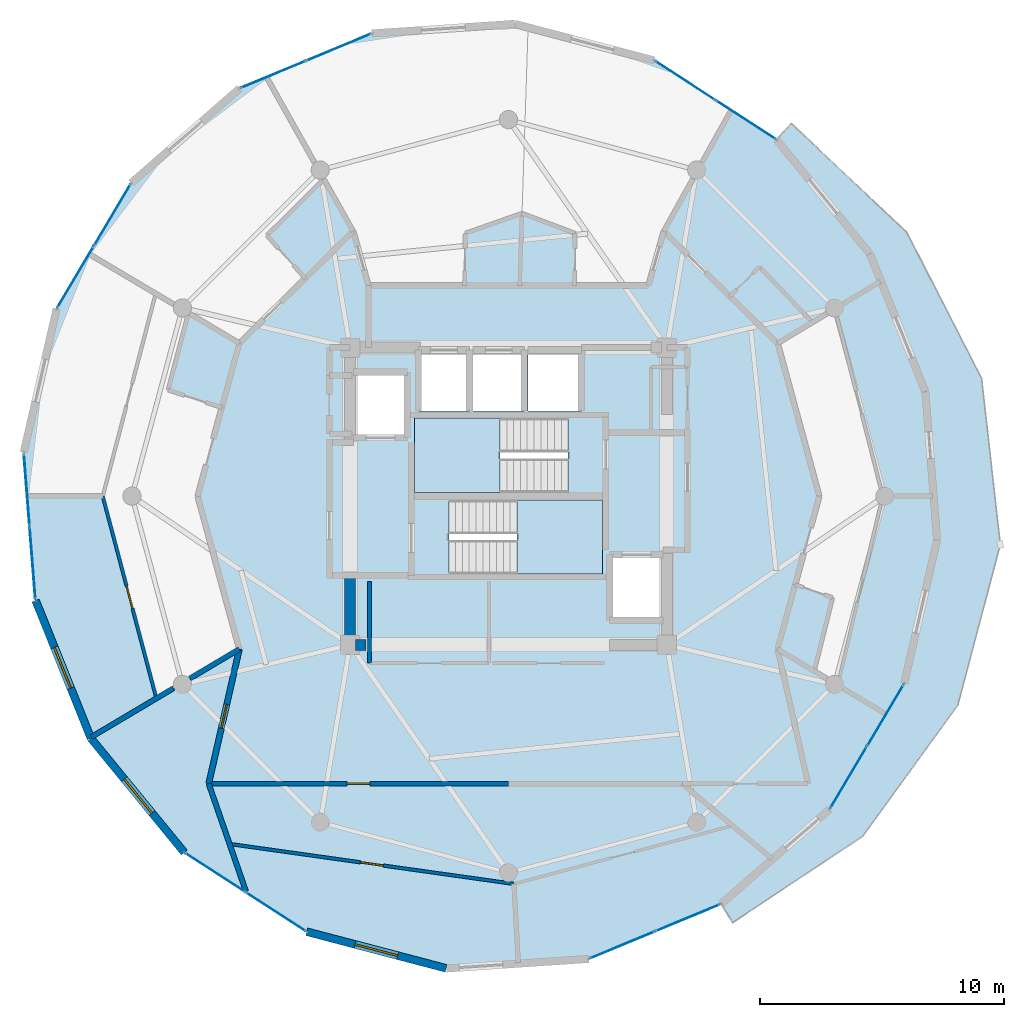
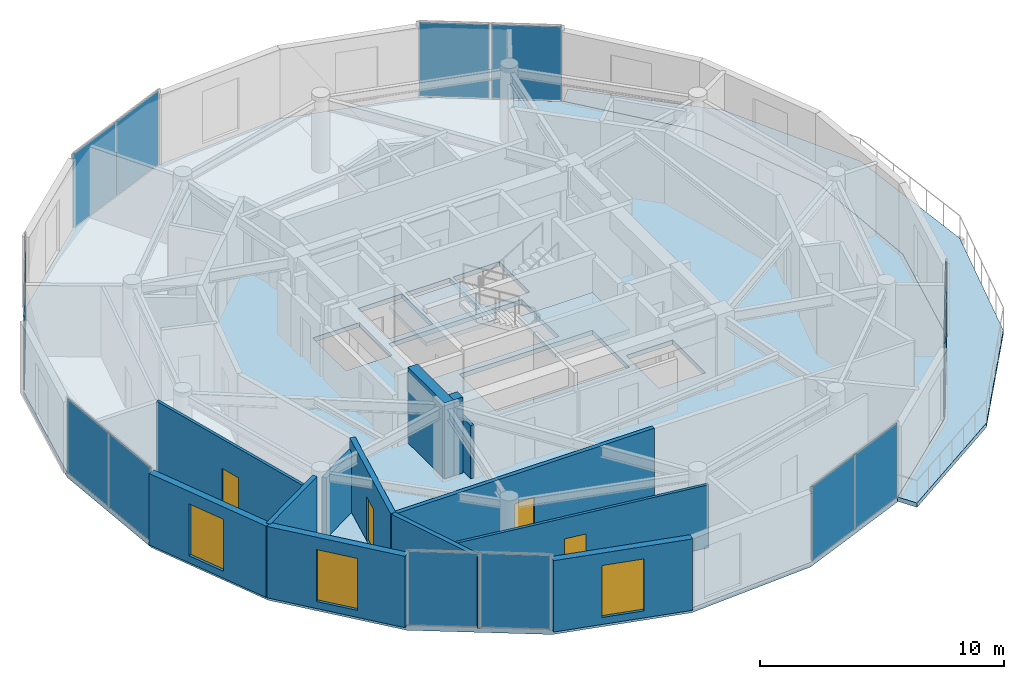
# One storey, part 16 of 22: 14 plates, 13 walls, 4 doors, 4 slabs, 3 windows, 7 openings, 9 elements without a shape of their own.
"""IFC4 building model written with IfcOpenShell, lengths in metres."""

from ifc_helpers import new_model, si_unit, direction, frame, frame_2d, origin, origin_2d, place, context, subcontext, project, spatial, polyline, rectangle, outline, extrude, source, transform, mapped, material, layer, layer_set, type_object, element, fill, aggregate, save


model = new_model("IFC4")

# Units and contexts
model_context = context("Model", 3, precision=1e-05, world=origin(), true_north=direction((0.0, 1.0)))
body_context = subcontext(model_context, "Body", "Model", "MODEL_VIEW")
ifc_project = project(units=[si_unit("LENGTHUNIT", "METRE"), si_unit("AREAUNIT", "SQUARE_METRE"), si_unit("VOLUMEUNIT", "CUBIC_METRE"), si_unit("PLANEANGLEUNIT", "RADIAN"), si_unit("MASSUNIT", "GRAM", prefix="KILO")], contexts=[model_context])

# Site, building, storey
site_placement = place(None, origin())
site = spatial("IfcSite", under=ifc_project, at=site_placement, CompositionType="ELEMENT")
building_placement = place(site_placement, origin())
building = spatial("IfcBuilding", under=site, at=building_placement, Name="Solvirekh Grand Hotel", CompositionType="ELEMENT")
storey_placement = place(building_placement, frame((0.0, 0.0, 239.199951171875)))
storey = spatial("IfcBuildingStorey", under=building, at=storey_placement, Name="L62", CompositionType="ELEMENT", Elevation=239.199951171875)

# Slab
ifc_material_1 = material(Name="Concrete C50/60", Category="concrete")
ifc_layer_1 = layer(ifc_material_1, 0.215087890625)
ifc_layer_set_1 = layer_set([ifc_layer_1], Name="Concrete C50/60")
slab_type_1 = type_object("IfcSlabType", Name="ExtCrescentBalc_215", PredefinedType="FLOOR", material=ifc_layer_set_1)
slab_1_placement = place(storey_placement, frame((0.0, 0.0, -0.21484375)))
element("IfcSlab", 1, at=slab_1_placement, inside=storey, type_object=slab_type_1, Name="L62 sweeping crescent balcony slab", PredefinedType="FLOOR", context=body_context, shape_type="SweptSolid", body=[
    extrude(outline(polyline([(9.200927734375, -17.4970703125), (14.528076171875, -13.9609375), (18.43896484375, -8.573974609375), (20.179931640625, -1.98291015625), (19.4140625, 4.822998046875), (16.342041015625, 10.827880859375), (11.60205078125, 15.29296875), (11.0009765625, 14.623046875), (14.8349609375, 9.93896484375), (17.10498046875, 4.281982421875), (17.5869140625, -1.794921875), (16.236083984375, -7.695068359375), (13.181884765625, -12.842041015625), (8.72607421875, -16.73291015625), (9.200927734375, -17.4970703125)])), origin(), (0.0, 0.0, 1.0), 0.21484375),
])

# Stair, slab
ifc_material_2 = material(Name="Concrete C40/50", Category="concrete")
stair_type = type_object("IfcStairType", Name="Stair_Core_1450", PredefinedType="HALF_TURN_STAIR", material=ifc_material_2)
stair_1_placement = place(storey_placement, origin())
stair_1 = element("IfcStair", 2, at=stair_1_placement, inside=storey, type_object=stair_type, Name="L62 Enclosed exit stair ST-1", PredefinedType="HALF_TURN_STAIR")
ifc_layer_2 = layer(ifc_material_2, 0.199951171875)
ifc_layer_set_2 = layer_set([ifc_layer_2], Name="Concrete C40/50")
slab_type_2 = type_object("IfcSlabType", Name="Landing_Stair_200", PredefinedType="LANDING", material=ifc_layer_set_2)
slab_2_placement = place(storey_placement, frame((0.0, 0.0, 1.699951171875)))
slab_2 = element("IfcSlab", 3, at=slab_2_placement, type_object=slab_type_2, Name="ST-1 landing 1", PredefinedType="LANDING", context=body_context, shape_type="SweptSolid", body=[
    extrude(outline(polyline([(0.35009765625, -3.199951171875), (3.85009765625, -3.199951171875), (3.85009765625, -0.14990234375), (0.35009765625, -0.14990234375), (0.35009765625, -3.199951171875)])), origin(), (0.0, 0.0, 1.0), 0.2001953125),
])
aggregate(stair_1, [slab_2])

stair_2_placement = place(storey_placement, origin())
stair_2 = element("IfcStair", 4, at=stair_2_placement, inside=storey, type_object=stair_type, Name="L62 Enclosed exit stair ST-2", PredefinedType="HALF_TURN_STAIR")
slab_3_placement = place(storey_placement, frame((0.0, 0.0, 1.699951171875)))
slab_3 = element("IfcSlab", 5, at=slab_3_placement, type_object=slab_type_2, Name="ST-2 landing 1", PredefinedType="LANDING", context=body_context, shape_type="SweptSolid", body=[
    extrude(outline(polyline([(-0.35009765625, 3.199951171875), (-3.85009765625, 3.199951171875), (-3.85009765625, 0.14990234375), (-0.35009765625, 0.14990234375), (-0.35009765625, 3.199951171875)])), origin(), (0.0, 0.0, 1.0), 0.2001953125),
])
aggregate(stair_2, [slab_3])

# Slab
ifc_layer_3 = layer(ifc_material_2, 0.22998046875)
ifc_layer_set_3 = layer_set([ifc_layer_3], Name="Concrete C40/50")
slab_type_3 = type_object("IfcSlabType", Name="Slab_GuestZ4_230", PredefinedType="FLOOR", material=ifc_layer_set_3)
slab_4_placement = place(storey_placement, frame((0.0, 0.0, -0.22998046875)))
element("IfcSlab", 6, at=slab_4_placement, inside=storey, type_object=slab_type_3, Name="L62 structural floor slab", PredefinedType="FLOOR", context=body_context, shape_type="SweptSolid", body=[
    extrude(outline(polyline([(3.302978515625, -18.985107421875), (8.72607421875, -16.73291015625), (13.181884765625, -12.842041015625), (16.236083984375, -7.695068359375), (17.5869140625, -1.794921875), (17.10498046875, 4.281982421875), (14.8349609375, 9.93896484375), (11.0009765625, 14.623046875), (5.97705078125, 17.8759765625), (0.256103515625, 19.37890625), (-5.60302734375, 18.985107421875), (-11.02587890625, 16.73291015625), (-15.48193359375, 12.842041015625), (-18.535888671875, 7.695068359375), (-19.886962890625, 1.794921875), (-19.405029296875, -4.281982421875), (-17.135009765625, -9.93896484375), (-13.301025390625, -14.623046875), (-8.277099609375, -17.8759765625), (-2.555908203125, -19.37890625), (3.302978515625, -18.985107421875)]), holes=[polyline([(-2.444091796875, -0.14990234375), (3.85009765625, -0.14990234375), (3.85009765625, -3.199951171875), (-2.444091796875, -3.199951171875), (-2.444091796875, -0.14990234375)]), polyline([(2.444091796875, 0.14990234375), (-3.85009765625, 0.14990234375), (-3.85009765625, 3.199951171875), (2.444091796875, 3.199951171875), (2.444091796875, 0.14990234375)]), polyline([(-3.699951171875, 6.0), (-1.60009765625, 6.0), (-1.60009765625, 3.5), (-3.699951171875, 3.5), (-3.699951171875, 6.0)]), polyline([(-1.449951171875, 6.0), (0.64990234375, 6.0), (0.64990234375, 3.5), (-1.449951171875, 3.5), (-1.449951171875, 6.0)]), polyline([(0.800048828125, 6.0), (3.0, 6.0), (3.0, 3.5), (0.800048828125, 3.5), (0.800048828125, 6.0)]), polyline([(-6.35009765625, 5.10009765625), (-4.14990234375, 5.10009765625), (-4.14990234375, 2.39990234375), (-6.35009765625, 2.39990234375), (-6.35009765625, 5.10009765625)]), polyline([(4.14990234375, -2.39990234375), (6.35009765625, -2.39990234375), (6.35009765625, -5.10009765625), (4.14990234375, -5.10009765625), (4.14990234375, -2.39990234375)])]), origin(), (0.0, 0.0, 1.0), 0.22998046875),
])

# Curtain wall, plates
ifc_material_3 = material(Name="Anodized Bronze Aluminium 6063-T6", Category="aluminium")
ifc_layer_4 = layer(ifc_material_3, 0.159912109375)
ifc_layer_set_4 = layer_set([ifc_layer_4], Name="Anodized Bronze Aluminium 6063-T6")
curtain_wall_type = type_object("IfcCurtainWallType", Name="CW_Sys4_HighZoneFlushBronzeCW", PredefinedType="NOTDEFINED", material=ifc_layer_set_4)
curtain_wall_1_placement = place(storey_placement, origin())
curtain_wall_1 = element("IfcCurtainWall", 7, at=curtain_wall_1_placement, inside=storey, type_object=curtain_wall_type, Name="L62 unitised bronze-glass curtain wall CW-L62-C01", PredefinedType="NOTDEFINED")
ifc_material_4 = material(Name="Low-E Tinted Bronze Laminated Glass", Category="aluminium")
ifc_layer_5 = layer(ifc_material_4, 0.033935546875)
ifc_layer_set_5 = layer_set([ifc_layer_5], Name="Low-E Tinted Bronze Laminated Glass")
plate_type = type_object("IfcPlateType", Name="CWPanel_High_34", PredefinedType="CURTAIN_PANEL", material=ifc_layer_set_5)
shared_shape_1 = source(origin(), body_context, "Body", "SweptSolid", [
    extrude(rectangle(XDim=2.845947265625, YDim=0.033935546875, at=origin_2d()), origin(), (0.0, 0.0, 1.0), 3.68994140625),
])
plate_1_placement = place(storey_placement, frame((4.672607421875, -18.416259765625, 0.05517578125), z_axis=(0.0, 0.0, 1.0), x_axis=(0.923534766126, 0.383514713871, 0.0)))
plate_1 = element("IfcPlate", 8, at=plate_1_placement, type_object=plate_type, Name="U04 panel 1.1", PredefinedType="CURTAIN_PANEL", context=body_context, shape_type="MappedRepresentation", body=[
    mapped(shared_shape_1, transform((0.0, 0.0, 0.0), x_axis=(1.0, 0.0, 0.0), y_axis=(0.0, 1.0, 0.0), z_axis=(0.0, 0.0, 1.0), scale=1.0)),
])
plate_2_placement = place(storey_placement, frame((7.3564453125, -17.3017578125, 0.05517578125), z_axis=(0.0, 0.0, 1.0), x_axis=(0.923534766126, 0.383514713871, 0.0)))
plate_2 = element("IfcPlate", 9, at=plate_2_placement, type_object=plate_type, Name="U04 panel 2.1", PredefinedType="CURTAIN_PANEL", context=body_context, shape_type="MappedRepresentation", body=[
    mapped(shared_shape_1, transform((0.0, 0.0, 0.0), x_axis=(1.0, 0.0, 0.0), y_axis=(0.0, 1.0, 0.0), z_axis=(0.0, 0.0, 1.0), scale=1.0)),
])
aggregate(curtain_wall_1, [plate_1, plate_2])

curtain_wall_2_placement = place(storey_placement, origin())
curtain_wall_2 = element("IfcCurtainWall", 10, at=curtain_wall_2_placement, inside=storey, type_object=curtain_wall_type, Name="L62 unitised bronze-glass curtain wall CW-L62-C11", PredefinedType="NOTDEFINED")
plate_3_placement = place(storey_placement, frame((-6.97265625, 18.416259765625, 0.05517578125), z_axis=(0.0, 0.0, 1.0), x_axis=(-0.923534766126, -0.383514713871, 0.0)))
plate_3 = element("IfcPlate", 11, at=plate_3_placement, type_object=plate_type, Name="U04 panel 1.1", PredefinedType="CURTAIN_PANEL", context=body_context, shape_type="MappedRepresentation", body=[
    mapped(shared_shape_1, transform((0.0, 0.0, 0.0), x_axis=(1.0, 0.0, 0.0), y_axis=(0.0, 1.0, 0.0), z_axis=(0.0, 0.0, 1.0), scale=1.0)),
])
plate_4_placement = place(storey_placement, frame((-9.656494140625, 17.3017578125, 0.05517578125), z_axis=(0.0, 0.0, 1.0), x_axis=(-0.923534766126, -0.383514713871, 0.0)))
plate_4 = element("IfcPlate", 12, at=plate_4_placement, type_object=plate_type, Name="U04 panel 2.1", PredefinedType="CURTAIN_PANEL", context=body_context, shape_type="MappedRepresentation", body=[
    mapped(shared_shape_1, transform((0.0, 0.0, 0.0), x_axis=(1.0, 0.0, 0.0), y_axis=(0.0, 1.0, 0.0), z_axis=(0.0, 0.0, 1.0), scale=1.0)),
])
aggregate(curtain_wall_2, [plate_3, plate_4])

curtain_wall_3_placement = place(storey_placement, origin())
curtain_wall_3 = element("IfcCurtainWall", 13, at=curtain_wall_3_placement, inside=storey, type_object=curtain_wall_type, Name="L62 unitised bronze-glass curtain wall CW-L62-C03", PredefinedType="NOTDEFINED")
shared_shape_2 = source(origin(), body_context, "Body", "SweptSolid", [
    extrude(rectangle(XDim=2.90234375, YDim=0.033935546875, at=origin_2d()), origin(), (0.0, 0.0, 1.0), 3.68994140625),
])
plate_5_placement = place(storey_placement, frame((13.953125, -11.542236328125, 0.05517578125), z_axis=(0.0, 0.0, 1.0), x_axis=(0.5102877983, 0.860003699356, 0.0)))
plate_5 = element("IfcPlate", 14, at=plate_5_placement, type_object=plate_type, Name="U04 panel 1.1", PredefinedType="CURTAIN_PANEL", context=body_context, shape_type="MappedRepresentation", body=[
    mapped(shared_shape_2, transform((0.0, 0.0, 0.0), x_axis=(1.0, 0.0, 0.0), y_axis=(0.0, 1.0, 0.0), z_axis=(0.0, 0.0, 1.0), scale=1.0)),
])
plate_6_placement = place(storey_placement, frame((15.46484375, -8.99462890625, 0.05517578125), z_axis=(0.0, 0.0, 1.0), x_axis=(0.5102877983, 0.860003699356, 0.0)))
plate_6 = element("IfcPlate", 15, at=plate_6_placement, type_object=plate_type, Name="U04 panel 2.1", PredefinedType="CURTAIN_PANEL", context=body_context, shape_type="MappedRepresentation", body=[
    mapped(shared_shape_2, transform((0.0, 0.0, 0.0), x_axis=(1.0, 0.0, 0.0), y_axis=(0.0, 1.0, 0.0), z_axis=(0.0, 0.0, 1.0), scale=1.0)),
])
aggregate(curtain_wall_3, [plate_5, plate_6])

curtain_wall_4_placement = place(storey_placement, origin())
curtain_wall_4 = element("IfcCurtainWall", 16, at=curtain_wall_4_placement, inside=storey, type_object=curtain_wall_type, Name="L62 unitised bronze-glass curtain wall CW-L62-C13", PredefinedType="NOTDEFINED")
plate_7_placement = place(storey_placement, frame((-16.253173828125, 11.542236328125, 0.05517578125), z_axis=(0.0, 0.0, 1.0), x_axis=(-0.5102877983, -0.860003699356, 0.0)))
plate_7 = element("IfcPlate", 17, at=plate_7_placement, type_object=plate_type, Name="U04 panel 1.1", PredefinedType="CURTAIN_PANEL", context=body_context, shape_type="MappedRepresentation", body=[
    mapped(shared_shape_2, transform((0.0, 0.0, 0.0), x_axis=(1.0, 0.0, 0.0), y_axis=(0.0, 1.0, 0.0), z_axis=(0.0, 0.0, 1.0), scale=1.0)),
])
plate_8_placement = place(storey_placement, frame((-17.764892578125, 8.99462890625, 0.05517578125), z_axis=(0.0, 0.0, 1.0), x_axis=(-0.5102877983, -0.860003699356, 0.0)))
plate_8 = element("IfcPlate", 18, at=plate_8_placement, type_object=plate_type, Name="U04 panel 2.1", PredefinedType="CURTAIN_PANEL", context=body_context, shape_type="MappedRepresentation", body=[
    mapped(shared_shape_2, transform((0.0, 0.0, 0.0), x_axis=(1.0, 0.0, 0.0), y_axis=(0.0, 1.0, 0.0), z_axis=(0.0, 0.0, 1.0), scale=1.0)),
])
aggregate(curtain_wall_4, [plate_7, plate_8])

curtain_wall_5_placement = place(storey_placement, origin())
curtain_wall_5 = element("IfcCurtainWall", 19, at=curtain_wall_5_placement, inside=storey, type_object=curtain_wall_type, Name="L62 unitised bronze-glass curtain wall CW-L62-C08", PredefinedType="NOTDEFINED")
shared_shape_3 = source(origin(), body_context, "Body", "SweptSolid", [
    extrude(rectangle(XDim=2.902587890625, YDim=0.033935546875, at=origin_2d()), origin(), (0.0, 0.0, 1.0), 3.68994140625),
])
plate_9_placement = place(storey_placement, frame((9.732421875, 15.4443359375, 0.05517578125), z_axis=(0.0, 0.0, 1.0), x_axis=(-0.839404261681, 0.543507576279, 0.0)))
plate_9 = element("IfcPlate", 20, at=plate_9_placement, type_object=plate_type, Name="U04 panel 1.1", PredefinedType="CURTAIN_PANEL", context=body_context, shape_type="MappedRepresentation", body=[
    mapped(shared_shape_3, transform((0.0, 0.0, 0.0), x_axis=(1.0, 0.0, 0.0), y_axis=(0.0, 1.0, 0.0), z_axis=(0.0, 0.0, 1.0), scale=1.0)),
])
plate_10_placement = place(storey_placement, frame((7.24560546875, 17.0546875, 0.05517578125), z_axis=(0.0, 0.0, 1.0), x_axis=(-0.839404261681, 0.543507576279, 0.0)))
plate_10 = element("IfcPlate", 21, at=plate_10_placement, type_object=plate_type, Name="U04 panel 2.1", PredefinedType="CURTAIN_PANEL", context=body_context, shape_type="MappedRepresentation", body=[
    mapped(shared_shape_3, transform((0.0, 0.0, 0.0), x_axis=(1.0, 0.0, 0.0), y_axis=(0.0, 1.0, 0.0), z_axis=(0.0, 0.0, 1.0), scale=1.0)),
])
aggregate(curtain_wall_5, [plate_9, plate_10])

curtain_wall_6_placement = place(storey_placement, origin())
curtain_wall_6 = element("IfcCurtainWall", 22, at=curtain_wall_6_placement, inside=storey, type_object=curtain_wall_type, Name="L62 unitised bronze-glass curtain wall CW-L62-C18", PredefinedType="NOTDEFINED")
plate_11_placement = place(storey_placement, frame((-12.032470703125, -15.4443359375, 0.05517578125), z_axis=(0.0, 0.0, 1.0), x_axis=(0.839404261681, -0.543507576279, 0.0)))
plate_11 = element("IfcPlate", 23, at=plate_11_placement, type_object=plate_type, Name="U04 panel 1.1", PredefinedType="CURTAIN_PANEL", context=body_context, shape_type="MappedRepresentation", body=[
    mapped(shared_shape_3, transform((0.0, 0.0, 0.0), x_axis=(1.0, 0.0, 0.0), y_axis=(0.0, 1.0, 0.0), z_axis=(0.0, 0.0, 1.0), scale=1.0)),
])
plate_12_placement = place(storey_placement, frame((-9.545654296875, -17.0546875, 0.05517578125), z_axis=(0.0, 0.0, 1.0), x_axis=(0.839404261681, -0.543507576279, 0.0)))
plate_12 = element("IfcPlate", 24, at=plate_12_placement, type_object=plate_type, Name="U04 panel 2.1", PredefinedType="CURTAIN_PANEL", context=body_context, shape_type="MappedRepresentation", body=[
    mapped(shared_shape_3, transform((0.0, 0.0, 0.0), x_axis=(1.0, 0.0, 0.0), y_axis=(0.0, 1.0, 0.0), z_axis=(0.0, 0.0, 1.0), scale=1.0)),
])
aggregate(curtain_wall_6, [plate_11, plate_12])

curtain_wall_7_placement = place(storey_placement, origin())
curtain_wall_7 = element("IfcCurtainWall", 25, at=curtain_wall_7_placement, inside=storey, type_object=curtain_wall_type, Name="L62 unitised bronze-glass curtain wall CW-L62-C15", PredefinedType="NOTDEFINED")
shared_shape_4 = source(origin(), body_context, "Body", "SweptSolid", [
    extrude(rectangle(XDim=2.9580078125, YDim=0.033935546875, at=origin_2d()), origin(), (0.0, 0.0, 1.0), 3.68994140625),
])
plate_13_placement = place(storey_placement, frame((-19.765380859375, 0.2607421875, 0.05517578125), z_axis=(0.0, 0.0, 1.0), x_axis=(0.079067138283, -0.996869293159, 0.0)))
plate_13 = element("IfcPlate", 26, at=plate_13_placement, type_object=plate_type, Name="U04 panel 1.1", PredefinedType="CURTAIN_PANEL", context=body_context, shape_type="MappedRepresentation", body=[
    mapped(shared_shape_4, transform((0.0, 0.0, 0.0), x_axis=(1.0, 0.0, 0.0), y_axis=(0.0, 1.0, 0.0), z_axis=(0.0, 0.0, 1.0), scale=1.0)),
])
plate_14_placement = place(storey_placement, frame((-19.526611328125, -2.747802734375, 0.05517578125), z_axis=(0.0, 0.0, 1.0), x_axis=(0.079067138283, -0.996869293159, 0.0)))
plate_14 = element("IfcPlate", 27, at=plate_14_placement, type_object=plate_type, Name="U04 panel 2.1", PredefinedType="CURTAIN_PANEL", context=body_context, shape_type="MappedRepresentation", body=[
    mapped(shared_shape_4, transform((0.0, 0.0, 0.0), x_axis=(1.0, 0.0, 0.0), y_axis=(0.0, 1.0, 0.0), z_axis=(0.0, 0.0, 1.0), scale=1.0)),
])
aggregate(curtain_wall_7, [plate_13, plate_14])

# Walls
ifc_layer_6 = layer(ifc_material_1, 0.449951171875)
ifc_layer_set_6 = layer_set([ifc_layer_6], Name="Concrete C50/60")
wall_type_1 = type_object("IfcWallType", Name="CoreWall_RC450", PredefinedType="SHEAR", material=ifc_layer_set_6)
wall_1_placement = place(storey_placement, frame((-6.27490234375, -6.10009765625, 0.0), z_axis=(0.0, 0.0, 1.0), x_axis=(1.0, 0.0, 0.0)))
element("IfcWall", 28, at=wall_1_placement, inside=storey, type_object=wall_type_1, Name="L62 core corner shear wall SW-S", PredefinedType="SHEAR", context=body_context, shape_type="SweptSolid", body=[
    extrude(rectangle(XDim=0.4248046875, YDim=0.449951171875, at=frame_2d((0.21240234375, 0.0))), origin(), (0.0, 0.0, 1.0), 3.800048828125),
])
wall_2_placement = place(storey_placement, frame((-6.5, -6.324951171875, 0.0), z_axis=(0.0, 0.0, 1.0), x_axis=(0.0, 1.0, 0.0)))
element("IfcWall", 29, at=wall_2_placement, inside=storey, type_object=wall_type_1, Name="L62 core corner shear wall WS-W", PredefinedType="SHEAR", context=body_context, shape_type="SweptSolid", body=[
    extrude(rectangle(XDim=2.974853515625, YDim=0.449951171875, at=frame_2d((1.4873046875, 0.0))), origin(), (0.0, 0.0, 1.0), 3.800048828125),
])

# Wall, opening, window
ifc_material_5 = material(Name="Precast concrete C45/55", Category="concrete")
ifc_layer_7 = layer(ifc_material_5, 0.320068359375)
ifc_layer_set_7 = layer_set([ifc_layer_7], Name="Precast concrete C45/55")
wall_type_2 = type_object("IfcWallType", Name="ExtLobbyWall_RC320", PredefinedType="SOLIDWALL", material=ifc_layer_set_7)
wall_3_placement = place(storey_placement, frame((-17.135009765625, -9.93896484375, 0.0), z_axis=(0.0, 0.0, 1.0), x_axis=(-0.372412492589, 0.928067311871, 0.0)))
wall_3 = element("IfcWall", 30, at=wall_3_placement, inside=storey, type_object=wall_type_2, Name="L62 exterior structural wall chord 16", PredefinedType="SOLIDWALL", context=body_context, shape_type="SweptSolid", body=[
    extrude(rectangle(XDim=6.095458984375, YDim=0.320068359375, at=frame_2d((3.0478515625, 0.0))), origin(), (0.0, 0.0, 1.0), 3.570068359375),
])
opening_1_placement = place(wall_3_placement, frame((2.219970703125, 0.0, 0.35009765625)))
opening_1 = element("IfcOpeningElement", 31, at=opening_1_placement, cuts=wall_3, Name="Opening W02", PredefinedType="OPENING", context=body_context, shape_type="SweptSolid", body=[
    extrude(rectangle(XDim=1.800048828125, YDim=2.60009765625, at=frame_2d((0.89990234375, 1.300048828125))), frame((0.0, 0.169921875, 0.0), z_axis=(0.0, -1.0, 0.0), x_axis=(1.0, 0.0, 0.0)), (0.0, 0.0, 1.0), 0.340087890625),
])
window_type = type_object("IfcWindowType", Name="Win_LobbyExt_1800X2600", PartitioningType="SINGLE_PANEL", PredefinedType="WINDOW", material=ifc_material_4)
window_1_placement = place(opening_1_placement, origin())
window_1 = element("IfcWindow", 32, at=window_1_placement, inside=storey, type_object=window_type, Name="L62 panoramic bronze-framed window 16", OverallHeight=2.60009765625, OverallWidth=1.800048828125, PartitioningType="SINGLE_PANEL", PredefinedType="WINDOW", context=body_context, shape_type="SweptSolid", body=[
    extrude(rectangle(XDim=1.800048828125, YDim=2.60009765625, at=frame_2d((0.89990234375, 1.300048828125))), frame((0.0, 0.030029296875, 0.0), z_axis=(0.0, -1.0, 0.0), x_axis=(1.0, 0.0, 0.0)), (0.0, 0.0, 1.0), 0.06005859375),
])
fill(opening_1, window_1)

wall_4_placement = place(storey_placement, frame((-13.301025390625, -14.623046875, 0.0), z_axis=(0.0, 0.0, 1.0), x_axis=(-0.633391522875, 0.773831492478, 0.0)))
wall_4 = element("IfcWall", 33, at=wall_4_placement, inside=storey, type_object=wall_type_2, Name="L62 exterior structural wall chord 17", PredefinedType="SOLIDWALL", context=body_context, shape_type="SweptSolid", body=[
    extrude(rectangle(XDim=6.05322265625, YDim=0.320068359375, at=frame_2d((3.026611328125, 0.0))), origin(), (0.0, 0.0, 1.0), 3.570068359375),
])
opening_2_placement = place(wall_4_placement, frame((2.092041015625, 0.0, 0.35009765625)))
opening_2 = element("IfcOpeningElement", 34, at=opening_2_placement, cuts=wall_4, Name="Opening W02", PredefinedType="OPENING", context=body_context, shape_type="SweptSolid", body=[
    extrude(rectangle(XDim=1.800048828125, YDim=2.60009765625, at=frame_2d((0.89990234375, 1.300048828125))), frame((0.0, 0.169921875, 0.0), z_axis=(0.0, -1.0, 0.0), x_axis=(1.0, 0.0, 0.0)), (0.0, 0.0, 1.0), 0.340087890625),
])
window_2_placement = place(opening_2_placement, origin())
window_2 = element("IfcWindow", 35, at=window_2_placement, inside=storey, type_object=window_type, Name="L62 panoramic bronze-framed window 17", OverallHeight=2.60009765625, OverallWidth=1.800048828125, PartitioningType="SINGLE_PANEL", PredefinedType="WINDOW", context=body_context, shape_type="SweptSolid", body=[
    extrude(rectangle(XDim=1.800048828125, YDim=2.60009765625, at=frame_2d((0.89990234375, 1.300048828125))), frame((0.0, 0.030029296875, 0.0), z_axis=(0.0, -1.0, 0.0), x_axis=(1.0, 0.0, 0.0)), (0.0, 0.0, 1.0), 0.06005859375),
])
fill(opening_2, window_2)

wall_5_placement = place(storey_placement, frame((-2.555908203125, -19.37890625, 0.0), z_axis=(0.0, 0.0, 1.0), x_axis=(-0.96718457854, 0.254074774494, 0.0)))
wall_5 = element("IfcWall", 36, at=wall_5_placement, inside=storey, type_object=wall_type_2, Name="L62 exterior structural wall chord 19", PredefinedType="SOLIDWALL", context=body_context, shape_type="SweptSolid", body=[
    extrude(rectangle(XDim=5.915283203125, YDim=0.320068359375, at=frame_2d((2.95751953125, 0.0))), origin(), (0.0, 0.0, 1.0), 3.570068359375),
])
opening_3_placement = place(wall_5_placement, frame((2.05810546875, 0.0, 0.35009765625)))
opening_3 = element("IfcOpeningElement", 37, at=opening_3_placement, cuts=wall_5, Name="Opening W02", PredefinedType="OPENING", context=body_context, shape_type="SweptSolid", body=[
    extrude(rectangle(XDim=1.800048828125, YDim=2.60009765625, at=frame_2d((0.89990234375, 1.300048828125))), frame((0.0, 0.169921875, 0.0), z_axis=(0.0, -1.0, 0.0), x_axis=(1.0, 0.0, 0.0)), (0.0, 0.0, 1.0), 0.340087890625),
])
window_3_placement = place(opening_3_placement, origin())
window_3 = element("IfcWindow", 38, at=window_3_placement, inside=storey, type_object=window_type, Name="L62 panoramic bronze-framed window 19", OverallHeight=2.60009765625, OverallWidth=1.800048828125, PartitioningType="SINGLE_PANEL", PredefinedType="WINDOW", context=body_context, shape_type="SweptSolid", body=[
    extrude(rectangle(XDim=1.800048828125, YDim=2.60009765625, at=frame_2d((0.89990234375, 1.300048828125))), frame((0.0, 0.030029296875, 0.0), z_axis=(0.0, -1.0, 0.0), x_axis=(1.0, 0.0, 0.0)), (0.0, 0.0, 1.0), 0.06005859375),
])
fill(opening_3, window_3)

# Wall
ifc_material_6 = material(Name="Acoustic Gypsum Partition Assembly")
ifc_layer_8 = layer(ifc_material_6, 0.1650390625)
ifc_layer_set_8 = layer_set([ifc_layer_8], Name="Acoustic Gypsum Partition Assembly")
wall_type_3 = type_object("IfcWallType", Name="Part_BOH_165", PredefinedType="PARTITIONING", material=ifc_layer_set_8)
wall_6_placement = place(storey_placement, frame((-5.699951171875, -3.5, 0.0), z_axis=(0.0, 0.0, 1.0), x_axis=(0.0, -1.0, 0.0)))
element("IfcWall", 39, at=wall_6_placement, inside=storey, type_object=wall_type_3, Name="L62 High-Zone Housekeeping Linen Room wall 4", PredefinedType="PARTITIONING", context=body_context, shape_type="SweptSolid", body=[
    extrude(rectangle(XDim=3.35009765625, YDim=0.1650390625, at=frame_2d((1.675048828125, 0.0))), origin(), (0.0, 0.0, 1.0), 2.655029296875),
])

# Wall, opening, door
ifc_layer_9 = layer(ifc_material_6, 0.239990234375)
ifc_layer_set_9 = layer_set([ifc_layer_9], Name="Acoustic Gypsum Partition Assembly")
wall_type_4 = type_object("IfcWallType", Name="Part_Corridor_240", PredefinedType="PARTITIONING", material=ifc_layer_set_9)
wall_7_placement = place(storey_placement, frame((-11.0419921875, -6.27490234375, 0.0), z_axis=(0.0, 0.0, 1.0), x_axis=(-0.222014008723, -0.975043475918, 0.0)))
wall_7 = element("IfcWall", 40, at=wall_7_placement, inside=storey, type_object=wall_type_4, Name="L62 L62 South-West Study Lounge entrance wall", PredefinedType="PARTITIONING", context=body_context, shape_type="SweptSolid", body=[
    extrude(rectangle(XDim=5.66650390625, YDim=0.239990234375, at=frame_2d((2.833251953125, 0.0))), origin(), (0.0, 0.0, 1.0), 3.570068359375),
])
opening_4_placement = place(wall_7_placement, frame((2.3330078125, 0.0, 0.0)))
opening_4 = element("IfcOpeningElement", 41, at=opening_4_placement, cuts=wall_7, Name="Opening D07", PredefinedType="OPENING", context=body_context, shape_type="SweptSolid", body=[
    extrude(rectangle(XDim=1.0, YDim=2.199951171875, at=frame_2d((0.5, 1.10009765625))), frame((0.0, 0.1298828125, 0.0), z_axis=(0.0, -1.0, 0.0), x_axis=(1.0, 0.0, 0.0)), (0.0, 0.0, 1.0), 0.260009765625),
])
ifc_material_7 = material(Name="Fire-Rated Steel Door Assembly", Category="steel")
door_type_1 = type_object("IfcDoorType", Name="Door_GuestEntry_1000X2200", OperationType="NOTDEFINED", PredefinedType="DOOR", material=ifc_material_7)
door_1_placement = place(opening_4_placement, origin())
door_1 = element("IfcDoor", 42, at=door_1_placement, inside=storey, type_object=door_type_1, Name="L62 L62 South-West Study Lounge entrance door", OperationType="SINGLE_SWING_LEFT", OverallHeight=2.199951171875, OverallWidth=1.0, PredefinedType="DOOR", context=body_context, shape_type="SweptSolid", body=[
    extrude(rectangle(XDim=1.0, YDim=2.199951171875, at=frame_2d((0.5, 1.10009765625))), frame((0.0, 0.02490234375, 0.0), z_axis=(0.0, -1.0, 0.0), x_axis=(1.0, 0.0, 0.0)), (0.0, 0.0, 1.0), 0.050048828125),
])
fill(opening_4, door_1)

ifc_layer_10 = layer(ifc_material_6, 0.18994140625)
ifc_layer_set_10 = layer_set([ifc_layer_10], Name="Acoustic Gypsum Partition Assembly")
wall_type_5 = type_object("IfcWallType", Name="Part_GuestDemise_190", PredefinedType="PARTITIONING", material=ifc_layer_set_10)
wall_8_placement = place(storey_placement, frame((-12.300048828125, -11.800048828125, 0.0), z_axis=(0.0, 0.0, 1.0), x_axis=(1.0, 0.0, 0.0)))
wall_8 = element("IfcWall", 43, at=wall_8_placement, inside=storey, type_object=wall_type_5, Name="L62 L62 Sky Club Reading Lounge entrance wall", PredefinedType="PARTITIONING", context=body_context, shape_type="SweptSolid", body=[
    extrude(rectangle(XDim=12.300048828125, YDim=0.18994140625, at=frame_2d((6.14990234375, 0.0))), origin(), (0.0, 0.0, 1.0), 3.570068359375),
])
opening_5_placement = place(wall_8_placement, frame((5.675048828125, 0.0, 0.0)))
opening_5 = element("IfcOpeningElement", 44, at=opening_5_placement, cuts=wall_8, Name="Opening D10", PredefinedType="OPENING", context=body_context, shape_type="SweptSolid", body=[
    extrude(rectangle(XDim=0.949951171875, YDim=2.10009765625, at=frame_2d((0.47509765625, 1.050048828125))), frame((0.0, 0.10498046875, 0.0), z_axis=(0.0, -1.0, 0.0), x_axis=(1.0, 0.0, 0.0)), (0.0, 0.0, 1.0), 0.2099609375),
])
door_type_2 = type_object("IfcDoorType", Name="Door_RoomInt_950X2100", OperationType="NOTDEFINED", PredefinedType="DOOR", material=ifc_material_3)
door_2_placement = place(opening_5_placement, origin())
door_2 = element("IfcDoor", 45, at=door_2_placement, inside=storey, type_object=door_type_2, Name="L62 L62 Sky Club Reading Lounge entrance door", OperationType="SINGLE_SWING_RIGHT", OverallHeight=2.10009765625, OverallWidth=0.949951171875, PredefinedType="DOOR", context=body_context, shape_type="SweptSolid", body=[
    extrude(rectangle(XDim=0.949951171875, YDim=2.10009765625, at=frame_2d((0.47509765625, 1.050048828125))), frame((0.0, 0.02490234375, 0.0), z_axis=(0.0, -1.0, 0.0), x_axis=(1.0, 0.0, 0.0)), (0.0, 0.0, 1.0), 0.050048828125),
])
fill(opening_5, door_2)

ifc_layer_11 = layer(ifc_material_6, 0.135009765625)
ifc_layer_set_11 = layer_set([ifc_layer_11], Name="Acoustic Gypsum Partition Assembly")
wall_type_6 = type_object("IfcWallType", Name="Part_RoomInt_135", PredefinedType="PARTITIONING", material=ifc_layer_set_11)
wall_9_placement = place(storey_placement, frame((-16.64501953125, 0.0, 0.0), z_axis=(0.0, 0.0, 1.0), x_axis=(0.256566495237, -0.966526581901, 0.0)))
wall_9 = element("IfcWall", 46, at=wall_9_placement, inside=storey, type_object=wall_type_6, Name="L62 Executive Suite 6404 Panorama Suite Study bedroom screen wall", PredefinedType="PARTITIONING", context=body_context, shape_type="SweptSolid", body=[
    extrude(rectangle(XDim=8.582275390625, YDim=0.135009765625, at=frame_2d((4.291015625, 0.0))), origin(), (0.0, 0.0, 1.0), 3.570068359375),
])
opening_6_placement = place(wall_9_placement, frame((3.81591796875, 0.0, 0.0)))
opening_6 = element("IfcOpeningElement", 47, at=opening_6_placement, cuts=wall_9, Name="Opening D10", PredefinedType="OPENING", context=body_context, shape_type="SweptSolid", body=[
    extrude(rectangle(XDim=0.949951171875, YDim=2.10009765625, at=frame_2d((0.47509765625, 1.050048828125))), frame((0.0, 0.07763671875, 0.0), z_axis=(0.0, -1.0, 0.0), x_axis=(1.0, 0.0, 0.0)), (0.0, 0.0, 1.0), 0.155029296875),
])
door_3_placement = place(opening_6_placement, origin())
door_3 = element("IfcDoor", 48, at=door_3_placement, inside=storey, type_object=door_type_2, Name="L62 Executive Suite 6404 Panorama Suite Study master bedroom door", OperationType="SINGLE_SWING_LEFT", OverallHeight=2.10009765625, OverallWidth=0.949951171875, PredefinedType="DOOR", context=body_context, shape_type="SweptSolid", body=[
    extrude(rectangle(XDim=0.949951171875, YDim=2.10009765625, at=frame_2d((0.47509765625, 1.050048828125))), frame((0.0, 0.02490234375, 0.0), z_axis=(0.0, -1.0, 0.0), x_axis=(1.0, 0.0, 0.0)), (0.0, 0.0, 1.0), 0.050048828125),
])
fill(opening_6, door_3)

wall_10_placement = place(storey_placement, frame((-11.444091796875, -14.27099609375, 0.0), z_axis=(0.0, 0.0, 1.0), x_axis=(0.990280714827, -0.139083089705, 0.0)))
wall_10 = element("IfcWall", 49, at=wall_10_placement, inside=storey, type_object=wall_type_6, Name="L62 L62 South Horizon Conservatory bedroom screen wall", PredefinedType="PARTITIONING", context=body_context, shape_type="SweptSolid", body=[
    extrude(rectangle(XDim=11.78369140625, YDim=0.135009765625, at=frame_2d((5.891845703125, 0.0))), origin(), (0.0, 0.0, 1.0), 3.13916015625),
])
opening_7_placement = place(wall_10_placement, frame((5.4169921875, 0.0, 0.0)))
opening_7 = element("IfcOpeningElement", 50, at=opening_7_placement, cuts=wall_10, Name="Opening D10", PredefinedType="OPENING", context=body_context, shape_type="SweptSolid", body=[
    extrude(rectangle(XDim=0.949951171875, YDim=2.10009765625, at=frame_2d((0.47509765625, 1.050048828125))), frame((0.0, 0.07763671875, 0.0), z_axis=(0.0, -1.0, 0.0), x_axis=(1.0, 0.0, 0.0)), (0.0, 0.0, 1.0), 0.155029296875),
])
door_4_placement = place(opening_7_placement, origin())
door_4 = element("IfcDoor", 51, at=door_4_placement, inside=storey, type_object=door_type_2, Name="L62 L62 South Horizon Conservatory master bedroom door", OperationType="SINGLE_SWING_RIGHT", OverallHeight=2.10009765625, OverallWidth=0.949951171875, PredefinedType="DOOR", context=body_context, shape_type="SweptSolid", body=[
    extrude(rectangle(XDim=0.949951171875, YDim=2.10009765625, at=frame_2d((0.47509765625, 1.050048828125))), frame((0.0, 0.02490234375, 0.0), z_axis=(0.0, -1.0, 0.0), x_axis=(1.0, 0.0, 0.0)), (0.0, 0.0, 1.0), 0.050048828125),
])
fill(opening_7, door_4)

# Walls
ifc_layer_12 = layer(ifc_material_6, 0.2099609375)
ifc_layer_set_12 = layer_set([ifc_layer_12], Name="Acoustic Gypsum Partition Assembly")
wall_type_7 = type_object("IfcWallType", Name="Part_SuiteDemise_210", PredefinedType="PARTITIONING", material=ifc_layer_set_12)
wall_11_placement = place(storey_placement, frame((-11.0419921875, -6.27490234375, 0.0), z_axis=(0.0, 0.0, 1.0), x_axis=(-0.859685751386, -0.510823265781, 0.0)))
element("IfcWall", 52, at=wall_11_placement, inside=storey, type_object=wall_type_7, Name="L62 suite radial wall 8 (A)", PredefinedType="PARTITIONING", context=body_context, shape_type="SweptSolid", body=[
    extrude(rectangle(XDim=2.359130859375, YDim=0.2099609375, at=frame_2d((1.1796875, 0.0))), origin(), (0.0, 0.0, 1.0), 3.010986328125),
])
wall_12_placement = place(storey_placement, frame((-13.743896484375, -7.8798828125, 0.0), z_axis=(0.0, 0.0, 1.0), x_axis=(-0.8597863995, -0.510653842867, 0.0)))
element("IfcWall", 53, at=wall_12_placement, inside=storey, type_object=wall_type_7, Name="L62 suite radial wall 8 (B)", PredefinedType="PARTITIONING", context=body_context, shape_type="SweptSolid", body=[
    extrude(rectangle(XDim=3.9208984375, YDim=0.2099609375, at=frame_2d((1.96044921875, 0.0))), origin(), (0.0, 0.0, 1.0), 3.570068359375),
])
wall_13_placement = place(storey_placement, frame((-12.300048828125, -11.800048828125, 0.0), z_axis=(0.0, 0.0, 1.0), x_axis=(0.327216501768, -0.944949395984, 0.0)))
element("IfcWall", 54, at=wall_13_placement, inside=storey, type_object=wall_type_7, Name="L62 L62 Sky Club Reading Lounge dividing partition 2", PredefinedType="PARTITIONING", context=body_context, shape_type="SweptSolid", body=[
    extrude(rectangle(XDim=4.669921875, YDim=0.2099609375, at=frame_2d((2.3349609375, 0.0))), origin(), (0.0, 0.0, 1.0), 3.570068359375),
])

save(model, "model.ifc")
